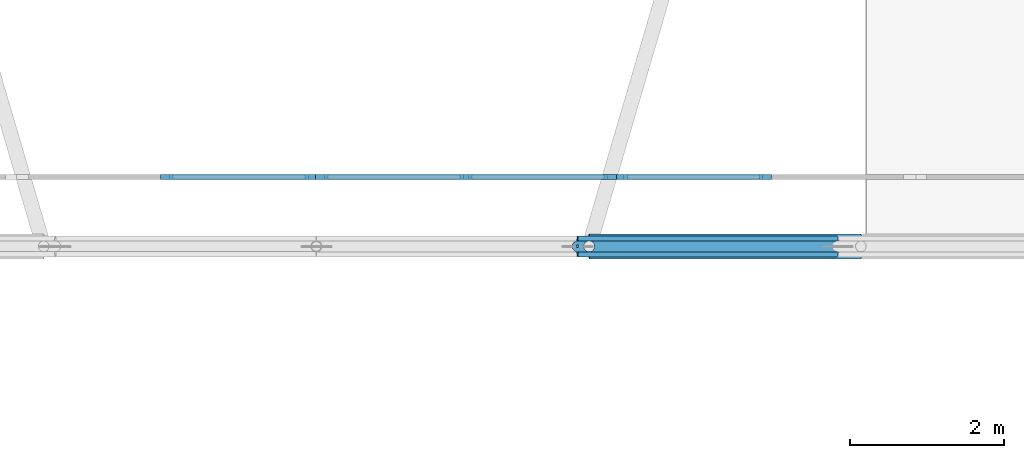
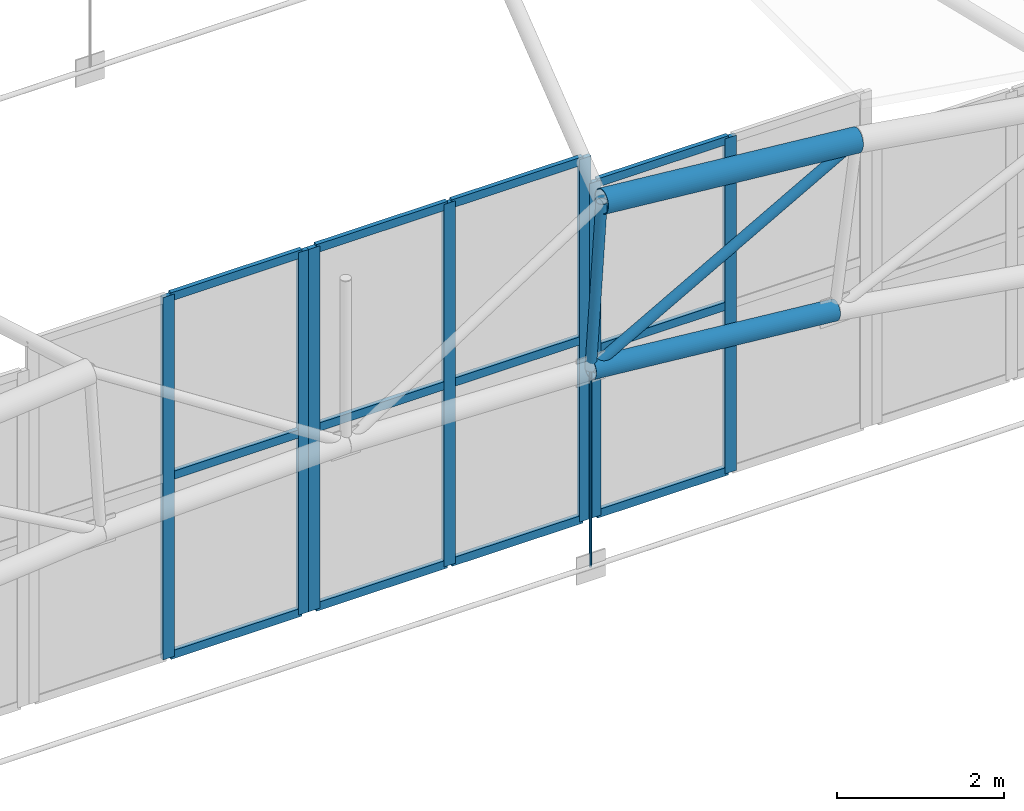
# One storey, part 123 of 321: 24 members, 3 elements without a shape of their own.
"""IFC4 building model written with IfcOpenShell, lengths in metres."""

from ifc_helpers import new_model, si_unit, direction, frame, origin, origin_2d, place, context, subcontext, project, spatial, rectangle, circle, hollow_circle, extrude, material, layer, layer_set, material_profile, profile_set, type_object, element, aggregate, save


model = new_model("IFC4")

# Units and contexts
model_context = context("Model", 3, precision=1e-05, world=origin(), true_north=direction((0.0, 1.0)))
body_context = subcontext(model_context, "Body", "Model", "MODEL_VIEW")
ifc_project = project(units=[si_unit("LENGTHUNIT", "METRE"), si_unit("AREAUNIT", "SQUARE_METRE"), si_unit("VOLUMEUNIT", "CUBIC_METRE"), si_unit("PLANEANGLEUNIT", "RADIAN"), si_unit("MASSUNIT", "GRAM", prefix="KILO")], contexts=[model_context])

# Site, building, storey
site_placement = place(None, origin())
site = spatial("IfcSite", under=ifc_project, at=site_placement, CompositionType="ELEMENT")
building_placement = place(site_placement, origin())
building = spatial("IfcBuilding", under=site, at=building_placement, Name="Ravi Spectrum Wholesale Market", CompositionType="ELEMENT")
storey_placement = place(building_placement, frame((0.0, 0.0, 10.800048828125)))
storey = spatial("IfcBuildingStorey", under=building, at=storey_placement, Name="L02", CompositionType="ELEMENT", Elevation=10.800048828125)

# Members
ifc_material_1 = material(Name="Steel S355", Category="steel")
ifc_material_profile_1 = material_profile(ifc_material_1, hollow_circle(Radius=0.06982421875, WallThickness=0.0048828125, at=origin_2d()))
ifc_profile_set_1 = profile_set([ifc_material_profile_1], Name="Steel S355")
member_type_1 = type_object("IfcMemberType", Name="CHS 139.7x5 brace", PredefinedType="BRACE", material=ifc_profile_set_1)
member_1_placement = place(storey_placement, frame((181.0673828125, 78.0, 4.952392578125), z_axis=(-0.872529716562, 0.0, -0.488561044001), x_axis=(0.0, -1.0, 0.0)))
element("IfcMember", 1, at=member_1_placement, inside=storey, type_object=member_type_1, Name="H2-MB-L02-049", PredefinedType="BRACE", context=body_context, shape_type="SweptSolid", body=[
    extrude(hollow_circle(Radius=0.06982421875, WallThickness=0.0048828125, at=origin_2d()), origin(), (0.0, 0.0, 1.0), 4.215576171875),
])
ifc_material_2 = material(Name="Steel S355", Category="steel")
ifc_material_profile_2 = material_profile(ifc_material_2, hollow_circle(Radius=0.06982421875, WallThickness=0.0048828125, at=origin_2d()))
ifc_profile_set_2 = profile_set([ifc_material_profile_2], Name="Steel S355")
member_type_2 = type_object("IfcMemberType", Name="CHS 139.7x5 post", PredefinedType="POST", material=ifc_profile_set_2)
member_2_placement = place(storey_placement, frame((177.540771484375, 78.0, 5.2880859375), z_axis=(-0.06316988397, 0.0, -0.998002788453), x_axis=(0.0, -1.0, 0.0)))
element("IfcMember", 2, at=member_2_placement, inside=storey, type_object=member_type_2, Name="H2-MB-L02-036", PredefinedType="POST", context=body_context, shape_type="SweptSolid", body=[
    extrude(hollow_circle(Radius=0.06982421875, WallThickness=0.0048828125, at=origin_2d()), origin(), (0.0, 0.0, 1.0), 2.400146484375),
])
ifc_material_3 = material(Name="Steel S355", Category="steel")
ifc_material_profile_3 = material_profile(ifc_material_3, hollow_circle(Radius=0.136474609375, WallThickness=0.010009765625, at=origin_2d()))
ifc_profile_set_3 = profile_set([ifc_material_profile_3], Name="Steel S355")
member_type_3 = type_object("IfcMemberType", Name="CHS 273x10 chord", PredefinedType="CHORD", material=ifc_profile_set_3)
member_3_placement = place(storey_placement, frame((177.38916015625, 78.0, 2.892822265625), z_axis=(0.995500648787, 0.0, -0.094754726877), x_axis=(0.0, 1.0, 0.0)))
element("IfcMember", 3, at=member_3_placement, inside=storey, type_object=member_type_3, Name="H2-MB-L02-023", PredefinedType="CHORD", context=body_context, shape_type="SweptSolid", body=[
    extrude(hollow_circle(Radius=0.136474609375, WallThickness=0.010009765625, at=origin_2d()), origin(), (0.0, 0.0, 1.0), 3.390625),
])
ifc_material_4 = material(Name="Steel S355", Category="steel")
ifc_material_profile_4 = material_profile(ifc_material_4, hollow_circle(Radius=0.161865234375, WallThickness=0.010009765625, at=origin_2d()))
ifc_profile_set_4 = profile_set([ifc_material_profile_4], Name="Steel S355")
member_type_4 = type_object("IfcMemberType", Name="CHS 323.9x10 chord", PredefinedType="CHORD", material=ifc_profile_set_4)
member_4_placement = place(storey_placement, frame((177.540771484375, 78.0, 5.2880859375), z_axis=(0.995500117461, 0.0, -0.094760308862), x_axis=(0.0, 1.0, 0.0)))
element("IfcMember", 4, at=member_4_placement, inside=storey, type_object=member_type_4, Name="H2-MB-L02-009", PredefinedType="CHORD", context=body_context, shape_type="SweptSolid", body=[
    extrude(hollow_circle(Radius=0.161865234375, WallThickness=0.010009765625, at=origin_2d()), origin(), (0.0, 0.0, 1.0), 3.54248046875),
])

# Curtain wall, members
ifc_material_5 = material(Name="Aluminium 6063-T6", Category="aluminium")
ifc_layer = layer(ifc_material_5, 0.14990234375)
ifc_layer_set = layer_set([ifc_layer], Name="Aluminium 6063-T6")
curtain_wall_type = type_object("IfcCurtainWallType", Name="Curtain wall 150", PredefinedType="NOTDEFINED", material=ifc_layer_set)
curtain_wall_1_placement = place(storey_placement, origin())
curtain_wall_1 = element("IfcCurtainWall", 5, at=curtain_wall_1_placement, inside=storey, type_object=curtain_wall_type, Name="H2-CW-L02-005", PredefinedType="NOTDEFINED")
ifc_material_6 = material(Name="Aluminium 6063-T6", Category="aluminium")
ifc_material_profile_5 = material_profile(ifc_material_6, rectangle(XDim=0.06005859375, YDim=0.159912109375, at=origin_2d()))
ifc_profile_set_5 = profile_set([ifc_material_profile_5], Name="Aluminium 6063-T6")
member_type_5 = type_object("IfcMemberType", Name="Mullion 60 x 160", PredefinedType="MULLION", material=ifc_profile_set_5)
member_5_placement = place(storey_placement, frame((172.056884765625, 78.89990234375, 0.0), z_axis=(0.0, 0.0, 1.0), x_axis=(0.0, 1.0, 0.0)))
member_5 = element("IfcMember", 6, at=member_5_placement, type_object=member_type_5, Name="H2-CW-L02-005 mullion 2", PredefinedType="MULLION", context=body_context, shape_type="SweptSolid", body=[
    extrude(rectangle(XDim=0.06005859375, YDim=0.159912109375, at=origin_2d()), origin(), (0.0, 0.0, 1.0), 5.300048828125),
])
member_6_placement = place(storey_placement, frame((173.929931640625, 78.89990234375, 0.0), z_axis=(0.0, 0.0, 1.0), x_axis=(0.0, 1.0, 0.0)))
member_6 = element("IfcMember", 7, at=member_6_placement, type_object=member_type_5, Name="H2-CW-L02-005 mullion 3", PredefinedType="MULLION", context=body_context, shape_type="SweptSolid", body=[
    extrude(rectangle(XDim=0.06005859375, YDim=0.159912109375, at=origin_2d()), origin(), (0.0, 0.0, 1.0), 5.300048828125),
])

curtain_wall_2_placement = place(storey_placement, origin())
curtain_wall_2 = element("IfcCurtainWall", 8, at=curtain_wall_2_placement, inside=storey, type_object=curtain_wall_type, Name="H2-CW-L02-006", PredefinedType="NOTDEFINED")
member_7_placement = place(storey_placement, frame((174.070068359375, 78.89990234375, 0.0), z_axis=(0.0, 0.0, 1.0), x_axis=(0.0, 1.0, 0.0)))
member_7 = element("IfcMember", 9, at=member_7_placement, type_object=member_type_5, Name="H2-CW-L02-006 mullion 1", PredefinedType="MULLION", context=body_context, shape_type="SweptSolid", body=[
    extrude(rectangle(XDim=0.06005859375, YDim=0.159912109375, at=origin_2d()), origin(), (0.0, 0.0, 1.0), 5.300048828125),
])
member_8_placement = place(storey_placement, frame((175.943115234375, 78.89990234375, 0.0), z_axis=(0.0, 0.0, 1.0), x_axis=(0.0, 1.0, 0.0)))
member_8 = element("IfcMember", 10, at=member_8_placement, type_object=member_type_5, Name="H2-CW-L02-006 mullion 2", PredefinedType="MULLION", context=body_context, shape_type="SweptSolid", body=[
    extrude(rectangle(XDim=0.06005859375, YDim=0.159912109375, at=origin_2d()), origin(), (0.0, 0.0, 1.0), 5.300048828125),
])
member_9_placement = place(storey_placement, frame((177.816162109375, 78.89990234375, 0.0), z_axis=(0.0, 0.0, 1.0), x_axis=(0.0, 1.0, 0.0)))
member_9 = element("IfcMember", 11, at=member_9_placement, type_object=member_type_5, Name="H2-CW-L02-006 mullion 3", PredefinedType="MULLION", context=body_context, shape_type="SweptSolid", body=[
    extrude(rectangle(XDim=0.06005859375, YDim=0.159912109375, at=origin_2d()), origin(), (0.0, 0.0, 1.0), 5.300048828125),
])

curtain_wall_3_placement = place(storey_placement, origin())
curtain_wall_3 = element("IfcCurtainWall", 12, at=curtain_wall_3_placement, inside=storey, type_object=curtain_wall_type, Name="H2-CW-L02-007", PredefinedType="NOTDEFINED")
member_10_placement = place(storey_placement, frame((177.9560546875, 78.89990234375, 0.0), z_axis=(0.0, 0.0, 1.0), x_axis=(0.0, 1.0, 0.0)))
member_10 = element("IfcMember", 13, at=member_10_placement, type_object=member_type_5, Name="H2-CW-L02-007 mullion 1", PredefinedType="MULLION", context=body_context, shape_type="SweptSolid", body=[
    extrude(rectangle(XDim=0.06005859375, YDim=0.159912109375, at=origin_2d()), origin(), (0.0, 0.0, 1.0), 4.89990234375),
])
member_11_placement = place(storey_placement, frame((179.8291015625, 78.89990234375, 0.0), z_axis=(0.0, 0.0, 1.0), x_axis=(0.0, 1.0, 0.0)))
member_11 = element("IfcMember", 14, at=member_11_placement, type_object=member_type_5, Name="H2-CW-L02-007 mullion 2", PredefinedType="MULLION", context=body_context, shape_type="SweptSolid", body=[
    extrude(rectangle(XDim=0.06005859375, YDim=0.159912109375, at=origin_2d()), origin(), (0.0, 0.0, 1.0), 4.89990234375),
])

# Member
ifc_material_7 = material(Name="Steel S355", Category="steel")
ifc_material_profile_6 = material_profile(ifc_material_7, circle(Radius=0.01806640625, at=origin_2d()))
ifc_profile_set_6 = profile_set([ifc_material_profile_6], Name="Steel S355")
member_type_6 = type_object("IfcMemberType", Name="ROD 36 hanger", PredefinedType="STRUT", material=ifc_profile_set_6)
member_12_placement = place(storey_placement, frame((177.38916015625, 78.0, 0.0), z_axis=(0.0, 0.0, 1.0), x_axis=(1.0, 0.0, 0.0)))
element("IfcMember", 15, at=member_12_placement, inside=storey, type_object=member_type_6, Name="H2-MB-L02-056", PredefinedType="STRUT", context=body_context, shape_type="SweptSolid", body=[
    extrude(circle(Radius=0.01806640625, at=origin_2d()), origin(), (0.0, 0.0, 1.0), 2.892822265625),
])

ifc_material_8 = material(Name="Aluminium 6063-T6", Category="aluminium")
ifc_material_profile_7 = material_profile(ifc_material_8, rectangle(XDim=0.06005859375, YDim=0.1201171875, at=origin_2d()))
ifc_profile_set_7 = profile_set([ifc_material_profile_7], Name="Aluminium 6063-T6")
member_type_7 = type_object("IfcMemberType", Name="Transom 60 x 120", PredefinedType="USERDEFINED", material=ifc_profile_set_7)
member_13_placement = place(storey_placement, frame((172.0869140625, 78.89990234375, 0.030029296875), z_axis=(1.0, 0.0, 0.0), x_axis=(0.0, 1.0, 0.0)))
member_13 = element("IfcMember", 16, at=member_13_placement, type_object=member_type_7, Name="H2-CW-L02-005 transom 2.1", ObjectType="TRANSOM", PredefinedType="USERDEFINED", context=body_context, shape_type="SweptSolid", body=[
    extrude(rectangle(XDim=0.06005859375, YDim=0.1201171875, at=origin_2d()), origin(), (0.0, 0.0, 1.0), 1.81298828125),
])

member_14_placement = place(storey_placement, frame((172.0869140625, 78.89990234375, 2.64990234375), z_axis=(1.0, 0.0, 0.0), x_axis=(0.0, 1.0, 0.0)))
member_14 = element("IfcMember", 17, at=member_14_placement, type_object=member_type_7, Name="H2-CW-L02-005 transom 2.2", ObjectType="TRANSOM", PredefinedType="USERDEFINED", context=body_context, shape_type="SweptSolid", body=[
    extrude(rectangle(XDim=0.06005859375, YDim=0.1201171875, at=origin_2d()), origin(), (0.0, 0.0, 1.0), 1.81298828125),
])

member_15_placement = place(storey_placement, frame((172.0869140625, 78.89990234375, 5.27001953125), z_axis=(1.0, 0.0, 0.0), x_axis=(0.0, 1.0, 0.0)))
member_15 = element("IfcMember", 18, at=member_15_placement, type_object=member_type_7, Name="H2-CW-L02-005 transom 2.3", ObjectType="TRANSOM", PredefinedType="USERDEFINED", context=body_context, shape_type="SweptSolid", body=[
    extrude(rectangle(XDim=0.06005859375, YDim=0.1201171875, at=origin_2d()), origin(), (0.0, 0.0, 1.0), 1.81298828125),
])

aggregate(curtain_wall_1, [member_5, member_6, member_13, member_14, member_15])

member_16_placement = place(storey_placement, frame((174.10009765625, 78.89990234375, 0.030029296875), z_axis=(1.0, 0.0, 0.0), x_axis=(0.0, 1.0, 0.0)))
member_16 = element("IfcMember", 19, at=member_16_placement, type_object=member_type_7, Name="H2-CW-L02-006 transom 1.1", ObjectType="TRANSOM", PredefinedType="USERDEFINED", context=body_context, shape_type="SweptSolid", body=[
    extrude(rectangle(XDim=0.06005859375, YDim=0.1201171875, at=origin_2d()), origin(), (0.0, 0.0, 1.0), 1.81298828125),
])

member_17_placement = place(storey_placement, frame((174.10009765625, 78.89990234375, 2.64990234375), z_axis=(1.0, 0.0, 0.0), x_axis=(0.0, 1.0, 0.0)))
member_17 = element("IfcMember", 20, at=member_17_placement, type_object=member_type_7, Name="H2-CW-L02-006 transom 1.2", ObjectType="TRANSOM", PredefinedType="USERDEFINED", context=body_context, shape_type="SweptSolid", body=[
    extrude(rectangle(XDim=0.06005859375, YDim=0.1201171875, at=origin_2d()), origin(), (0.0, 0.0, 1.0), 1.81298828125),
])

member_18_placement = place(storey_placement, frame((174.10009765625, 78.89990234375, 5.27001953125), z_axis=(1.0, 0.0, 0.0), x_axis=(0.0, 1.0, 0.0)))
member_18 = element("IfcMember", 21, at=member_18_placement, type_object=member_type_7, Name="H2-CW-L02-006 transom 1.3", ObjectType="TRANSOM", PredefinedType="USERDEFINED", context=body_context, shape_type="SweptSolid", body=[
    extrude(rectangle(XDim=0.06005859375, YDim=0.1201171875, at=origin_2d()), origin(), (0.0, 0.0, 1.0), 1.81298828125),
])

member_19_placement = place(storey_placement, frame((175.97314453125, 78.89990234375, 0.030029296875), z_axis=(1.0, 0.0, 0.0), x_axis=(0.0, 1.0, 0.0)))
member_19 = element("IfcMember", 22, at=member_19_placement, type_object=member_type_7, Name="H2-CW-L02-006 transom 2.1", ObjectType="TRANSOM", PredefinedType="USERDEFINED", context=body_context, shape_type="SweptSolid", body=[
    extrude(rectangle(XDim=0.06005859375, YDim=0.1201171875, at=origin_2d()), origin(), (0.0, 0.0, 1.0), 1.81298828125),
])

member_20_placement = place(storey_placement, frame((175.97314453125, 78.89990234375, 2.64990234375), z_axis=(1.0, 0.0, 0.0), x_axis=(0.0, 1.0, 0.0)))
member_20 = element("IfcMember", 23, at=member_20_placement, type_object=member_type_7, Name="H2-CW-L02-006 transom 2.2", ObjectType="TRANSOM", PredefinedType="USERDEFINED", context=body_context, shape_type="SweptSolid", body=[
    extrude(rectangle(XDim=0.06005859375, YDim=0.1201171875, at=origin_2d()), origin(), (0.0, 0.0, 1.0), 1.81298828125),
])

member_21_placement = place(storey_placement, frame((175.97314453125, 78.89990234375, 5.27001953125), z_axis=(1.0, 0.0, 0.0), x_axis=(0.0, 1.0, 0.0)))
member_21 = element("IfcMember", 24, at=member_21_placement, type_object=member_type_7, Name="H2-CW-L02-006 transom 2.3", ObjectType="TRANSOM", PredefinedType="USERDEFINED", context=body_context, shape_type="SweptSolid", body=[
    extrude(rectangle(XDim=0.06005859375, YDim=0.1201171875, at=origin_2d()), origin(), (0.0, 0.0, 1.0), 1.81298828125),
])

aggregate(curtain_wall_2, [member_7, member_8, member_9, member_16, member_17, member_18, member_19, member_20, member_21])

member_22_placement = place(storey_placement, frame((177.986083984375, 78.89990234375, 0.030029296875), z_axis=(1.0, 0.0, 0.0), x_axis=(0.0, 1.0, 0.0)))
member_22 = element("IfcMember", 25, at=member_22_placement, type_object=member_type_7, Name="H2-CW-L02-007 transom 1.1", ObjectType="TRANSOM", PredefinedType="USERDEFINED", context=body_context, shape_type="SweptSolid", body=[
    extrude(rectangle(XDim=0.06005859375, YDim=0.1201171875, at=origin_2d()), origin(), (0.0, 0.0, 1.0), 1.813232421875),
])

member_23_placement = place(storey_placement, frame((177.986083984375, 78.89990234375, 2.449951171875), z_axis=(1.0, 0.0, 0.0), x_axis=(0.0, 1.0, 0.0)))
member_23 = element("IfcMember", 26, at=member_23_placement, type_object=member_type_7, Name="H2-CW-L02-007 transom 1.2", ObjectType="TRANSOM", PredefinedType="USERDEFINED", context=body_context, shape_type="SweptSolid", body=[
    extrude(rectangle(XDim=0.06005859375, YDim=0.1201171875, at=origin_2d()), origin(), (0.0, 0.0, 1.0), 1.813232421875),
])

member_24_placement = place(storey_placement, frame((177.986083984375, 78.89990234375, 4.869873046875), z_axis=(1.0, 0.0, 0.0), x_axis=(0.0, 1.0, 0.0)))
member_24 = element("IfcMember", 27, at=member_24_placement, type_object=member_type_7, Name="H2-CW-L02-007 transom 1.3", ObjectType="TRANSOM", PredefinedType="USERDEFINED", context=body_context, shape_type="SweptSolid", body=[
    extrude(rectangle(XDim=0.06005859375, YDim=0.1201171875, at=origin_2d()), origin(), (0.0, 0.0, 1.0), 1.813232421875),
])

aggregate(curtain_wall_3, [member_10, member_11, member_22, member_23, member_24])

save(model, "model.ifc")
